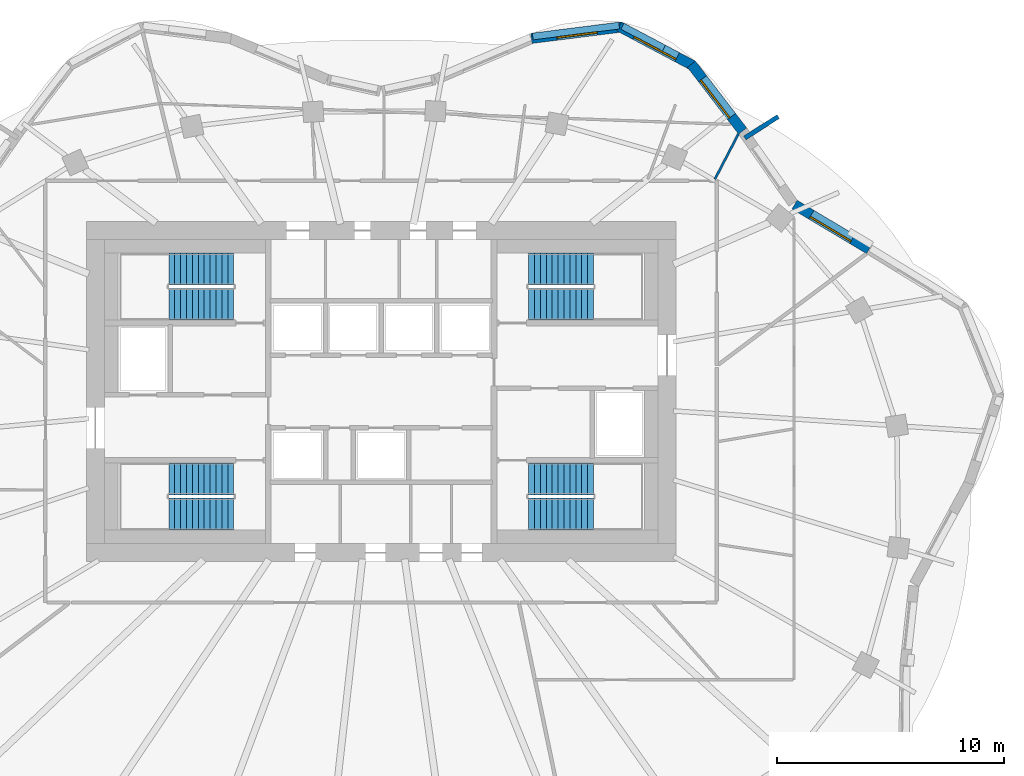
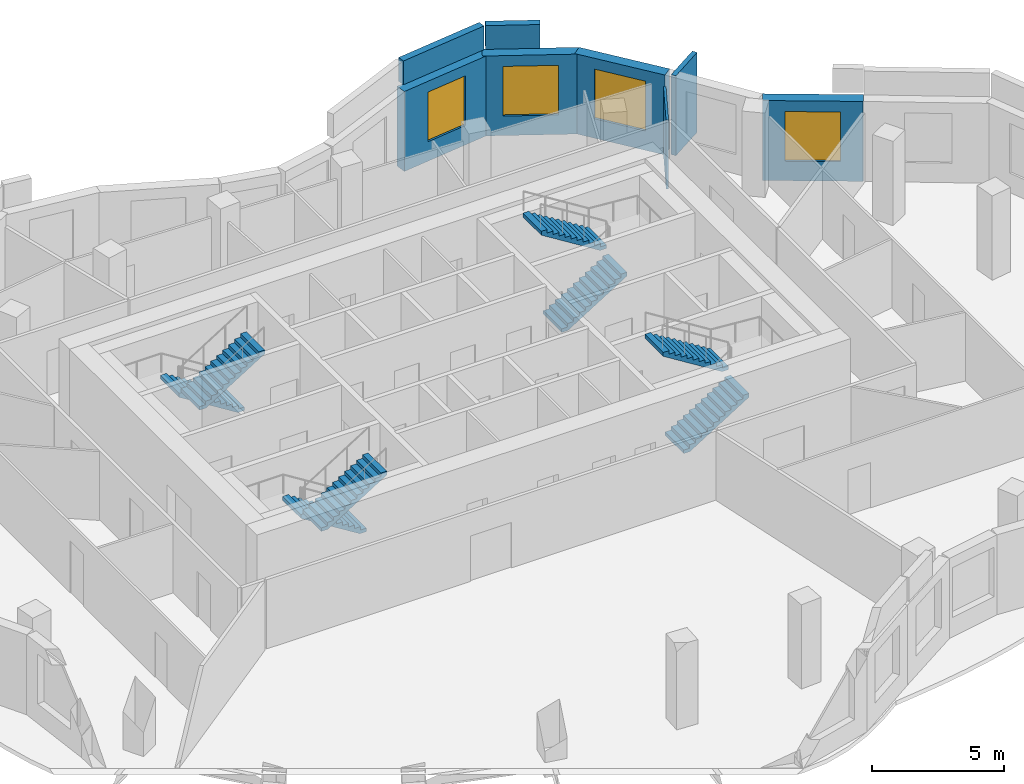
# One storey, part 8 of 9: 8 stair flights, 8 walls, 4 windows, 4 openings, 4 elements without a shape of their own.
"""IFC4 building model written with IfcOpenShell, lengths in metres."""

import ifcopenshell
import ifcopenshell.guid

model = None  # the IFC model being written
_history = None  # IfcOwnerHistory: only IFC2X3 demands one
_inside = {}  # id of a spatial element -> (the spatial element, [elements in it])
_under = {}  # id of a project, library or spatial element -> (it, [spatial elements below it])
_declared = {}  # id of a project -> (the project, [libraries it declares])
_typed = {}  # id of a type object -> (the type object, [elements of that type])
_made_of = {}  # id of a material, layer set ... -> (it, [elements and type objects made of it])


def new_model(schema):
    """Start an empty IFC model of exactly this schema.

    Asked for "IFC4X3", IfcOpenShell would pick the latest addendum, in which some entities
    have other attributes; the version numbers below select the first issue.
    IFC2X3 requires an IfcOwnerHistory on every rooted entity: one is made here for all.
    """
    global model, _history
    if schema == "IFC4X3":
        model = ifcopenshell.file(schema_version=(4, 3, 0, 0))
    else:
        model = ifcopenshell.file(schema=schema)
    _inside.clear()
    _under.clear()
    _declared.clear()
    _typed.clear()
    _made_of.clear()
    _history = None
    if model.schema == "IFC2X3":
        org = make("IfcOrganization", Name="unknown")
        user = make(
            "IfcPersonAndOrganization",
            ThePerson=make("IfcPerson", FamilyName="unknown"),
            TheOrganization=org,
        )
        app = make(
            "IfcApplication",
            ApplicationDeveloper=org,
            Version="unknown",
            ApplicationFullName="unknown",
            ApplicationIdentifier="unknown",
        )
        _history = make(
            "IfcOwnerHistory",
            OwningUser=user,
            OwningApplication=app,
            ChangeAction="ADDED",
            CreationDate=0,
        )
    return model


def make(cls, **values):
    """One entity of the class cls with the attributes given. An attribute that is None is left unset."""
    return model.create_entity(
        cls, **{name: value for name, value in values.items() if value is not None}
    )


def rooted(cls, **values):
    """An entity with a GlobalId (a new one), such as an element, a storey or a relation."""
    return make(cls, GlobalId=ifcopenshell.guid.new(), OwnerHistory=_history, **values)


def si_unit(unit_type, name, prefix=None):
    """IfcSIUnit, for example si_unit("LENGTHUNIT", "METRE", prefix="MILLI")."""
    return make("IfcSIUnit", UnitType=unit_type, Prefix=prefix, Name=name)


def assignment(units):
    """IfcUnitAssignment: the units of a project."""
    return None if units is None else make("IfcUnitAssignment", Units=units)


def point(xyz):
    """IfcCartesianPoint."""
    return None if xyz is None else make("IfcCartesianPoint", Coordinates=xyz)


def direction(xyz):
    """IfcDirection."""
    return None if xyz is None else make("IfcDirection", DirectionRatios=xyz)


def frame(location, z_axis=None, x_axis=None):
    """IfcAxis2Placement3D, a coordinate frame: its origin and axes. An axis left out is left unset."""
    return make(
        "IfcAxis2Placement3D",
        Location=point(location),
        Axis=direction(z_axis),
        RefDirection=direction(x_axis),
    )


def frame_2d(location, x_axis=None):
    """IfcAxis2Placement2D, a coordinate frame in the plane: its origin and x axis."""
    return make(
        "IfcAxis2Placement2D", Location=point(location), RefDirection=direction(x_axis)
    )


def origin():
    """The frame at (0, 0, 0) with its axes left unset."""
    return frame((0.0, 0.0, 0.0))


def place(relative_to, where):
    """IfcLocalPlacement: puts the frame where relative to a parent placement (None: the world)."""
    return make(
        "IfcLocalPlacement", PlacementRelTo=relative_to, RelativePlacement=where
    )


def context(
    kind, dimensions, precision=None, world=None, true_north=None, identifier=None
):
    """IfcGeometricRepresentationContext, for example the 3D "Model" context."""
    return make(
        "IfcGeometricRepresentationContext",
        ContextIdentifier=identifier,
        ContextType=kind,
        CoordinateSpaceDimension=dimensions,
        Precision=precision,
        WorldCoordinateSystem=world,
        TrueNorth=true_north,
    )


def subcontext(parent, identifier, kind, view, scale=None):
    """IfcGeometricRepresentationSubContext, for example "Body" below "Model"."""
    return make(
        "IfcGeometricRepresentationSubContext",
        ContextIdentifier=identifier,
        ContextType=kind,
        ParentContext=parent,
        TargetScale=scale,
        TargetView=view,
    )


def project(units=None, contexts=None):
    """IfcProject with its units and contexts."""
    return rooted(
        "IfcProject",
        Name="project",
        RepresentationContexts=contexts,
        UnitsInContext=assignment(units),
    )


def spatial(cls, under=None, at=None, **own):
    """A site, building, storey or space (cls), placed at a placement, below another one or the project."""
    s = rooted(cls, ObjectPlacement=at, **own)
    if under is not None:
        _under.setdefault(under.id(), (under, []))[1].append(s)
    return s


def polyline(points):
    """IfcPolyline through the points."""
    return make("IfcPolyline", Points=[point(p) for p in points])


def profile(cls, at=None, kind="AREA", **sizes):
    """A parametric profile (cls). Its sizes go by their IFC names, for example OverallWidth=200.0."""
    return make(cls, ProfileType=kind, Position=at, **sizes)


def rectangle(**sizes):
    """IfcRectangleProfileDef."""
    return profile("IfcRectangleProfileDef", **sizes)


def outline(outer, holes=None, kind="AREA"):
    """IfcArbitraryClosedProfileDef: a profile drawn as a closed curve; with holes, ...WithVoids."""
    if holes is None:
        return make("IfcArbitraryClosedProfileDef", ProfileType=kind, OuterCurve=outer)
    return make(
        "IfcArbitraryProfileDefWithVoids",
        ProfileType=kind,
        OuterCurve=outer,
        InnerCurves=holes,
    )


def extrude(swept, where, along, depth):
    """IfcExtrudedAreaSolid: the profile swept, set in the frame where, extruded along a direction by depth."""
    return make(
        "IfcExtrudedAreaSolid",
        SweptArea=swept,
        Position=where,
        ExtrudedDirection=direction(along),
        Depth=depth,
    )


def shape(context_of_items, identifier, shape_type, items):
    """IfcShapeRepresentation: the items that make up one representation, for example the "Body"."""
    return make(
        "IfcShapeRepresentation",
        ContextOfItems=context_of_items,
        RepresentationIdentifier=identifier,
        RepresentationType=shape_type,
        Items=items,
    )


def material(Name=None, Category=None):
    """IfcMaterial."""
    return make("IfcMaterial", Name=Name, Category=Category)


def layer(
    of_material, thickness, ventilated=None, Name=None, Category=None, Priority=None
):
    """IfcMaterialLayer: one layer of a wall or slab, of a material (None: an air gap)."""
    return make(
        "IfcMaterialLayer",
        Material=of_material,
        LayerThickness=thickness,
        IsVentilated=ventilated,
        Name=Name,
        Category=Category,
        Priority=Priority,
    )


def layer_set(layers, Name=None):
    """IfcMaterialLayerSet."""
    return make("IfcMaterialLayerSet", MaterialLayers=layers, LayerSetName=Name)


def made_of(thing, what):
    """Note that an element or type object is made of a material, layer set ...; save() writes the relation."""
    if what is not None:
        _made_of.setdefault(what.id(), (what, []))[1].append(thing)
    return thing


def type_object(cls, material=None, **own):
    """A type object (cls), such as IfcWallType, which elements share."""
    return made_of(rooted(cls, **own), material)


def element(
    cls,
    number,
    at=None,
    inside=None,
    cuts=None,
    type_object=None,
    material=None,
    context=None,
    identifier="Body",
    shape_type=None,
    held_by="IfcProductDefinitionShape",
    body=None,
    shapes=None,
    **own,
):
    """One element of the class cls, such as IfcWall. Its Tag is "e" and its number.

    at: its placement. inside: the storey or other place that contains it. cuts: it is an
    opening in that element (IfcRelVoidsElement). A single representation is given by context,
    identifier, shape_type and body (its items); several are given by shapes. held_by: the class
    of the entity that holds the representations. save() writes the other relations.
    """
    e = rooted(cls, Tag="e%d" % number, ObjectPlacement=at, **own)
    if body is not None:
        shapes = [shape(context, identifier, shape_type, body)]
    if shapes is not None:
        e.Representation = make(held_by, Representations=shapes)
    if inside is not None:
        _inside.setdefault(inside.id(), (inside, []))[1].append(e)
    if cuts is not None:
        rooted(
            "IfcRelVoidsElement", RelatingBuildingElement=cuts, RelatedOpeningElement=e
        )
    if type_object is not None:
        _typed.setdefault(type_object.id(), (type_object, []))[1].append(e)
    return made_of(e, material)


def fill(opening, filler):
    """IfcRelFillsElement: the door or window that sits in an opening."""
    return rooted(
        "IfcRelFillsElement",
        RelatingOpeningElement=opening,
        RelatedBuildingElement=filler,
    )


def aggregate(whole, parts):
    """IfcRelAggregates: a whole, such as a stair, and the parts it consists of."""
    return rooted("IfcRelAggregates", RelatingObject=whole, RelatedObjects=parts)


def save(model, path):
    """Write the relations noted so far, then the file.

    IfcRelAggregates (storeys below a building ...), IfcRelContainedInSpatialStructure (elements
    in a storey), IfcRelDefinesByType, IfcRelAssociatesMaterial and IfcRelDeclares: one each for
    every whole, place, type object, material and project.
    """
    for whole, parts in _under.values():
        aggregate(whole, parts)
    for where, things in _inside.values():
        rooted(
            "IfcRelContainedInSpatialStructure",
            RelatedElements=things,
            RelatingStructure=where,
        )
    for kind, things in _typed.values():
        rooted("IfcRelDefinesByType", RelatedObjects=things, RelatingType=kind)
    for what, things in _made_of.values():
        rooted("IfcRelAssociatesMaterial", RelatedObjects=things, RelatingMaterial=what)
    for by, libraries in _declared.values():
        rooted("IfcRelDeclares", RelatingContext=by, RelatedDefinitions=libraries)
    model.write(path)


model = new_model("IFC4")

# Units and contexts
model_context = context("Model", 3, precision=1e-05, world=origin(), true_north=direction((0.0, 1.0)))
body_context = subcontext(model_context, "Body", "Model", "MODEL_VIEW")
ifc_project = project(units=[si_unit("LENGTHUNIT", "METRE"), si_unit("AREAUNIT", "SQUARE_METRE"), si_unit("VOLUMEUNIT", "CUBIC_METRE"), si_unit("PLANEANGLEUNIT", "RADIAN"), si_unit("MASSUNIT", "GRAM", prefix="KILO")], contexts=[model_context])

# Site, building, storey
site_placement = place(None, origin())
site = spatial("IfcSite", under=ifc_project, at=site_placement, CompositionType="ELEMENT")
building_placement = place(site_placement, origin())
building = spatial("IfcBuilding", under=site, at=building_placement, Name="Rubra Terraces Tower", CompositionType="ELEMENT")
storey_placement = place(building_placement, frame((0.0, 0.0, 268.800048828125)))
storey = spatial("IfcBuildingStorey", under=building, at=storey_placement, Name="L66", CompositionType="ELEMENT", Elevation=268.800048828125)

# Wall, opening, window
ifc_material_1 = material(Name="Brick masonry red-brown", Category="masonry")
ifc_layer_1 = layer(ifc_material_1, 0.449951171875)
ifc_layer_set_1 = layer_set([ifc_layer_1], Name="Brick masonry red-brown")
wall_type_1 = type_object("IfcWallType", Name="Brick facade wall 450", PredefinedType="SOLIDWALL", material=ifc_layer_set_1)
wall_1_placement = place(storey_placement, frame((21.510498046875, 10.7744140625, 0.0), z_axis=(0.0, 0.0, 1.0), x_axis=(-0.857920147813, 0.513783047576, 0.0)))
wall_1 = element("IfcWall", 1, at=wall_1_placement, inside=storey, type_object=wall_type_1, Name="Facade wall L66 bay 4", PredefinedType="SOLIDWALL", context=body_context, shape_type="SweptSolid", body=[
    extrude(rectangle(XDim=3.82958984375, YDim=0.449951171875, at=frame_2d((1.914794921875, 0.0))), origin(), (0.0, 0.0, 1.0), 3.699951171875),
])
opening_1_placement = place(wall_1_placement, frame((0.86474609375, 0.0, 0.89990234375)))
opening_1 = element("IfcOpeningElement", 2, at=opening_1_placement, cuts=wall_1, Name="Opening W1B", PredefinedType="OPENING", context=body_context, shape_type="SweptSolid", body=[
    extrude(rectangle(XDim=2.10009765625, YDim=2.300048828125, at=frame_2d((1.050048828125, 1.14990234375))), frame((0.0, 0.23486328125, 0.0), z_axis=(0.0, -1.0, 0.0), x_axis=(1.0, 0.0, 0.0)), (0.0, 0.0, 1.0), 0.469970703125),
])
ifc_material_2 = material(Name="Clear glass in aluminium frame", Category="aluminium")
window_type_1 = type_object("IfcWindowType", Name="Fixed deep-set window tall storey 2100 x 2300", PartitioningType="SINGLE_PANEL", PredefinedType="WINDOW", material=ifc_material_2)
window_1_placement = place(opening_1_placement, origin())
window_1 = element("IfcWindow", 3, at=window_1_placement, inside=storey, type_object=window_type_1, Name="Window L66 bay 4", OverallHeight=2.300048828125, OverallWidth=2.10009765625, PartitioningType="SINGLE_PANEL", PredefinedType="WINDOW", context=body_context, shape_type="SweptSolid", body=[
    extrude(rectangle(XDim=2.10009765625, YDim=2.300048828125, at=frame_2d((1.050048828125, 1.14990234375))), frame((0.0, 0.135009765625, 0.0), z_axis=(0.0, -1.0, 0.0), x_axis=(1.0, 0.0, 0.0)), (0.0, 0.0, 1.0), 0.06005859375),
])
fill(opening_1, window_1)

wall_2_placement = place(storey_placement, frame((15.937255859375, 15.985107421875, 0.0), z_axis=(0.0, 0.0, 1.0), x_axis=(-0.60824792446, 0.793747102288, 0.0)))
wall_2 = element("IfcWall", 4, at=wall_2_placement, inside=storey, type_object=wall_type_1, Name="Facade wall L66 bay 6", PredefinedType="SOLIDWALL", context=body_context, shape_type="SweptSolid", body=[
    extrude(rectangle(XDim=3.712890625, YDim=0.449951171875, at=frame_2d((1.8564453125, 0.0))), origin(), (0.0, 0.0, 1.0), 3.699951171875),
])
opening_2_placement = place(wall_2_placement, frame((0.806396484375, 0.0, 0.89990234375)))
opening_2 = element("IfcOpeningElement", 5, at=opening_2_placement, cuts=wall_2, Name="Opening W1B", PredefinedType="OPENING", context=body_context, shape_type="SweptSolid", body=[
    extrude(rectangle(XDim=2.10009765625, YDim=2.300048828125, at=frame_2d((1.050048828125, 1.14990234375))), frame((0.0, 0.23486328125, 0.0), z_axis=(0.0, -1.0, 0.0), x_axis=(1.0, 0.0, 0.0)), (0.0, 0.0, 1.0), 0.469970703125),
])
window_2_placement = place(opening_2_placement, origin())
window_2 = element("IfcWindow", 6, at=window_2_placement, inside=storey, type_object=window_type_1, Name="Window L66 bay 6", OverallHeight=2.300048828125, OverallWidth=2.10009765625, PartitioningType="SINGLE_PANEL", PredefinedType="WINDOW", context=body_context, shape_type="SweptSolid", body=[
    extrude(rectangle(XDim=2.10009765625, YDim=2.300048828125, at=frame_2d((1.050048828125, 1.14990234375))), frame((0.0, 0.135009765625, 0.0), z_axis=(0.0, -1.0, 0.0), x_axis=(1.0, 0.0, 0.0)), (0.0, 0.0, 1.0), 0.06005859375),
])
fill(opening_2, window_2)

wall_3_placement = place(storey_placement, frame((13.75048828125, 18.872314453125, 0.0), z_axis=(0.0, 0.0, 1.0), x_axis=(-0.883502778071, 0.46842591852, 0.0)))
wall_3 = element("IfcWall", 7, at=wall_3_placement, inside=storey, type_object=wall_type_1, Name="Facade wall L66 bay 7", PredefinedType="SOLIDWALL", context=body_context, shape_type="SweptSolid", body=[
    extrude(rectangle(XDim=3.6884765625, YDim=0.449951171875, at=frame_2d((1.84423828125, 0.0))), origin(), (0.0, 0.0, 1.0), 3.699951171875),
])
opening_3_placement = place(wall_3_placement, frame((0.79443359375, 0.0, 0.89990234375)))
opening_3 = element("IfcOpeningElement", 8, at=opening_3_placement, cuts=wall_3, Name="Opening W1B", PredefinedType="OPENING", context=body_context, shape_type="SweptSolid", body=[
    extrude(rectangle(XDim=2.10009765625, YDim=2.300048828125, at=frame_2d((1.050048828125, 1.14990234375))), frame((0.0, 0.23486328125, 0.0), z_axis=(0.0, -1.0, 0.0), x_axis=(1.0, 0.0, 0.0)), (0.0, 0.0, 1.0), 0.469970703125),
])
window_3_placement = place(opening_3_placement, origin())
window_3 = element("IfcWindow", 9, at=window_3_placement, inside=storey, type_object=window_type_1, Name="Window L66 bay 7", OverallHeight=2.300048828125, OverallWidth=2.10009765625, PartitioningType="SINGLE_PANEL", PredefinedType="WINDOW", context=body_context, shape_type="SweptSolid", body=[
    extrude(rectangle(XDim=2.10009765625, YDim=2.300048828125, at=frame_2d((1.050048828125, 1.14990234375))), frame((0.0, 0.135009765625, 0.0), z_axis=(0.0, -1.0, 0.0), x_axis=(1.0, 0.0, 0.0)), (0.0, 0.0, 1.0), 0.06005859375),
])
fill(opening_3, window_3)

wall_4_placement = place(storey_placement, frame((10.625244140625, 20.57568359375, 0.0), z_axis=(0.0, 0.0, 1.0), x_axis=(-0.992109407201, -0.125375133674, 0.0)))
wall_4 = element("IfcWall", 10, at=wall_4_placement, inside=storey, type_object=wall_type_1, Name="Facade wall L66 bay 8", PredefinedType="SOLIDWALL", context=body_context, shape_type="SweptSolid", body=[
    extrude(rectangle(XDim=4.03466796875, YDim=0.449951171875, at=frame_2d((2.017333984375, 0.0))), origin(), (0.0, 0.0, 1.0), 3.699951171875),
])
opening_4_placement = place(wall_4_placement, frame((1.117431640625, 0.0, 0.89990234375)))
opening_4 = element("IfcOpeningElement", 11, at=opening_4_placement, cuts=wall_4, Name="Opening W6B", PredefinedType="OPENING", context=body_context, shape_type="SweptSolid", body=[
    extrude(rectangle(XDim=1.800048828125, YDim=2.300048828125, at=frame_2d((0.89990234375, 1.14990234375))), frame((0.0, 0.23486328125, 0.0), z_axis=(0.0, -1.0, 0.0), x_axis=(1.0, 0.0, 0.0)), (0.0, 0.0, 1.0), 0.469970703125),
])
window_type_2 = type_object("IfcWindowType", Name="Fixed deep-set window at wind fin tall storey 1800 x 2300", PartitioningType="SINGLE_PANEL", PredefinedType="WINDOW", material=ifc_material_2)
window_4_placement = place(opening_4_placement, origin())
window_4 = element("IfcWindow", 12, at=window_4_placement, inside=storey, type_object=window_type_2, Name="Window L66 bay 8", OverallHeight=2.300048828125, OverallWidth=1.800048828125, PartitioningType="SINGLE_PANEL", PredefinedType="WINDOW", context=body_context, shape_type="SweptSolid", body=[
    extrude(rectangle(XDim=1.800048828125, YDim=2.300048828125, at=frame_2d((0.89990234375, 1.14990234375))), frame((0.0, 0.135009765625, 0.0), z_axis=(0.0, -1.0, 0.0), x_axis=(1.0, 0.0, 0.0)), (0.0, 0.0, 1.0), 0.06005859375),
])
fill(opening_4, window_4)

# Walls
ifc_layer_2 = layer(ifc_material_1, 0.300048828125)
ifc_layer_set_2 = layer_set([ifc_layer_2], Name="Brick masonry red-brown")
wall_type_2 = type_object("IfcWallType", Name="Brick parapet 300", PredefinedType="PARAPET", material=ifc_layer_set_2)
wall_5_placement = place(storey_placement, frame((12.4658203125, 19.63818359375, 3.89990234375), z_axis=(0.0, 0.0, 1.0), x_axis=(-0.883460622644, 0.468505419645, 0.0)))
element("IfcWall", 13, at=wall_5_placement, inside=storey, type_object=wall_type_2, Name="Parapet L66 bay 7", PredefinedType="PARAPET", context=body_context, shape_type="SweptSolid", body=[
    extrude(rectangle(XDim=2.06982421875, YDim=0.300048828125, at=frame_2d((1.034912109375, 0.0))), origin(), (0.0, 0.0, 1.0), 1.10009765625),
])
wall_6_placement = place(storey_placement, frame((10.49169921875, 20.634521484375, 3.89990234375), z_axis=(0.0, 0.0, 1.0), x_axis=(-0.992108633106, -0.125381259031, 0.0)))
element("IfcWall", 14, at=wall_6_placement, inside=storey, type_object=wall_type_2, Name="Parapet L66 bay 8", PredefinedType="PARAPET", context=body_context, shape_type="SweptSolid", body=[
    extrude(rectangle(XDim=3.837890625, YDim=0.300048828125, at=frame_2d((1.9189453125, 0.0))), origin(), (0.0, 0.0, 1.0), 1.10009765625),
])
ifc_layer_3 = layer(ifc_material_1, 0.199951171875)
ifc_layer_set_3 = layer_set([ifc_layer_3], Name="Brick masonry red-brown")
wall_type_3 = type_object("IfcWallType", Name="Brick wind fin 200", PredefinedType="SOLIDWALL", material=ifc_layer_set_3)
wall_7_placement = place(storey_placement, frame((16.032958984375, 15.679931640625, 0.0), z_axis=(0.0, 0.0, 1.0), x_axis=(0.842083858075, 0.539346619503, 0.0)))
element("IfcWall", 15, at=wall_7_placement, inside=storey, type_object=wall_type_3, Name="Wind fin L66 3", PredefinedType="SOLIDWALL", context=body_context, shape_type="SweptSolid", body=[
    extrude(rectangle(XDim=1.75, YDim=0.199951171875, at=frame_2d((0.875, 0.0))), origin(), (0.0, 0.0, 1.0), 3.699951171875),
])
ifc_material_3 = material(Name="Plasterboard on steel stud", Category="steel")
ifc_layer_4 = layer(ifc_material_3, 0.10009765625)
ifc_layer_set_4 = layer_set([ifc_layer_4], Name="Plasterboard on steel stud")
wall_type_4 = type_object("IfcWallType", Name="ROOM PARTITION 100", PredefinedType="PARTITIONING", material=ifc_layer_set_4)
wall_8_placement = place(storey_placement, frame((14.714599609375, 13.866455078125, 0.0), z_axis=(0.0, 0.0, 1.0), x_axis=(0.461537979376, 0.887120450443, 0.0)))
element("IfcWall", 16, at=wall_8_placement, inside=storey, type_object=wall_type_4, Name="PARTITION", PredefinedType="PARTITIONING", context=body_context, shape_type="SweptSolid", body=[
    extrude(rectangle(XDim=2.24072265625, YDim=0.10009765625, at=frame_2d((1.120361328125, 0.0))), origin(), (0.0, 0.0, 1.0), 3.183837890625),
])

# Stair, stair flights
ifc_material_4 = material(Name="Concrete C40", Category="concrete")
stair_type = type_object("IfcStairType", Name="Core stair 1400", PredefinedType="HALF_TURN_STAIR", material=ifc_material_4)
stair_1_placement = place(storey_placement, origin())
stair_1 = element("IfcStair", 17, at=stair_1_placement, inside=storey, type_object=stair_type, Name="L66 Exit stair S1", PredefinedType="HALF_TURN_STAIR")
stair_flight_type = type_object("IfcStairFlightType", Name="Core stair flight 1400", PredefinedType="STRAIGHT", material=ifc_material_4)
stair_flight_1_placement = place(storey_placement, frame((-6.5, 0.64990234375, 0.0), z_axis=(0.0, 0.0, 1.0), x_axis=(-1.0, 0.0, 0.0)))
stair_flight_1 = element("IfcStairFlight", 18, at=stair_flight_1_placement, type_object=stair_flight_type, Name="S1 flight 1", NumberOfRisers=12, NumberOfTreads=11, PredefinedType="STRAIGHT", RiserHeight=0.1625, TreadLength=0.26, context=body_context, shape_type="SweptSolid", body=[
    extrude(outline(polyline([(0.0, 0.0), (0.0, 0.16259765625), (0.260009765625, 0.16259765625), (0.260009765625, 0.324951171875), (0.52001953125, 0.324951171875), (0.52001953125, 0.487548828125), (0.780029296875, 0.487548828125), (0.780029296875, 0.64990234375), (1.0400390625, 0.64990234375), (1.0400390625, 0.8125), (1.300048828125, 0.8125), (1.300048828125, 0.97509765625), (1.56005859375, 0.97509765625), (1.56005859375, 1.137451171875), (1.820068359375, 1.137451171875), (1.820068359375, 1.300048828125), (2.080078125, 1.300048828125), (2.080078125, 1.46240234375), (2.340087890625, 1.46240234375), (2.340087890625, 1.625), (2.60009765625, 1.625), (2.60009765625, 1.78759765625), (2.860107421875, 1.78759765625), (2.860107421875, 1.949951171875), (2.860107421875, 1.61083984375), (0.28271484375, 0.0), (0.0, 0.0)])), frame((0.0, 0.699951171875, 0.0), z_axis=(0.0, -1.0, 0.0), x_axis=(1.0, 0.0, 0.0)), (0.0, 0.0, 1.0), 1.39990234375),
])
stair_flight_2_placement = place(storey_placement, frame((-9.360107421875, -0.89990234375, 1.949951171875), z_axis=(0.0, 0.0, 1.0), x_axis=(1.0, 0.0, 0.0)))
stair_flight_2 = element("IfcStairFlight", 19, at=stair_flight_2_placement, type_object=stair_flight_type, Name="S1 flight 2", NumberOfRisers=12, NumberOfTreads=11, PredefinedType="STRAIGHT", RiserHeight=0.1625, TreadLength=0.26, context=body_context, shape_type="SweptSolid", body=[
    extrude(outline(polyline([(0.0, 0.0), (0.0, 0.16259765625), (0.260009765625, 0.16259765625), (0.260009765625, 0.324951171875), (0.52001953125, 0.324951171875), (0.52001953125, 0.487548828125), (0.780029296875, 0.487548828125), (0.780029296875, 0.64990234375), (1.0400390625, 0.64990234375), (1.0400390625, 0.8125), (1.300048828125, 0.8125), (1.300048828125, 0.97509765625), (1.56005859375, 0.97509765625), (1.56005859375, 1.137451171875), (1.820068359375, 1.137451171875), (1.820068359375, 1.300048828125), (2.080078125, 1.300048828125), (2.080078125, 1.46240234375), (2.340087890625, 1.46240234375), (2.340087890625, 1.625), (2.60009765625, 1.625), (2.60009765625, 1.78759765625), (2.860107421875, 1.78759765625), (2.860107421875, 1.949951171875), (2.860107421875, 1.61083984375), (0.28271484375, 0.0), (0.0, 0.0)])), frame((0.0, 0.699951171875, 0.0), z_axis=(0.0, -1.0, 0.0), x_axis=(1.0, 0.0, 0.0)), (0.0, 0.0, 1.0), 1.39990234375),
])
aggregate(stair_1, [stair_flight_1, stair_flight_2])

stair_2_placement = place(storey_placement, origin())
stair_2 = element("IfcStair", 20, at=stair_2_placement, inside=storey, type_object=stair_type, Name="L66 Exit stair S2", PredefinedType="HALF_TURN_STAIR")
stair_flight_3_placement = place(storey_placement, frame((-6.5, 9.89990234375, 0.0), z_axis=(0.0, 0.0, 1.0), x_axis=(-1.0, 0.0, 0.0)))
stair_flight_3 = element("IfcStairFlight", 21, at=stair_flight_3_placement, type_object=stair_flight_type, Name="S2 flight 1", NumberOfRisers=12, NumberOfTreads=11, PredefinedType="STRAIGHT", RiserHeight=0.1625, TreadLength=0.26, context=body_context, shape_type="SweptSolid", body=[
    extrude(outline(polyline([(0.0, 0.0), (0.0, 0.16259765625), (0.260009765625, 0.16259765625), (0.260009765625, 0.324951171875), (0.52001953125, 0.324951171875), (0.52001953125, 0.487548828125), (0.780029296875, 0.487548828125), (0.780029296875, 0.64990234375), (1.0400390625, 0.64990234375), (1.0400390625, 0.8125), (1.300048828125, 0.8125), (1.300048828125, 0.97509765625), (1.56005859375, 0.97509765625), (1.56005859375, 1.137451171875), (1.820068359375, 1.137451171875), (1.820068359375, 1.300048828125), (2.080078125, 1.300048828125), (2.080078125, 1.46240234375), (2.340087890625, 1.46240234375), (2.340087890625, 1.625), (2.60009765625, 1.625), (2.60009765625, 1.78759765625), (2.860107421875, 1.78759765625), (2.860107421875, 1.949951171875), (2.860107421875, 1.61083984375), (0.28271484375, 0.0), (0.0, 0.0)])), frame((0.0, 0.699951171875, 0.0), z_axis=(0.0, -1.0, 0.0), x_axis=(1.0, 0.0, 0.0)), (0.0, 0.0, 1.0), 1.39990234375),
])
stair_flight_4_placement = place(storey_placement, frame((-9.360107421875, 8.35009765625, 1.949951171875), z_axis=(0.0, 0.0, 1.0), x_axis=(1.0, 0.0, 0.0)))
stair_flight_4 = element("IfcStairFlight", 22, at=stair_flight_4_placement, type_object=stair_flight_type, Name="S2 flight 2", NumberOfRisers=12, NumberOfTreads=11, PredefinedType="STRAIGHT", RiserHeight=0.1625, TreadLength=0.26, context=body_context, shape_type="SweptSolid", body=[
    extrude(outline(polyline([(0.0, 0.0), (0.0, 0.16259765625), (0.260009765625, 0.16259765625), (0.260009765625, 0.324951171875), (0.52001953125, 0.324951171875), (0.52001953125, 0.487548828125), (0.780029296875, 0.487548828125), (0.780029296875, 0.64990234375), (1.0400390625, 0.64990234375), (1.0400390625, 0.8125), (1.300048828125, 0.8125), (1.300048828125, 0.97509765625), (1.56005859375, 0.97509765625), (1.56005859375, 1.137451171875), (1.820068359375, 1.137451171875), (1.820068359375, 1.300048828125), (2.080078125, 1.300048828125), (2.080078125, 1.46240234375), (2.340087890625, 1.46240234375), (2.340087890625, 1.625), (2.60009765625, 1.625), (2.60009765625, 1.78759765625), (2.860107421875, 1.78759765625), (2.860107421875, 1.949951171875), (2.860107421875, 1.61083984375), (0.28271484375, 0.0), (0.0, 0.0)])), frame((0.0, 0.699951171875, 0.0), z_axis=(0.0, -1.0, 0.0), x_axis=(1.0, 0.0, 0.0)), (0.0, 0.0, 1.0), 1.39990234375),
])
aggregate(stair_2, [stair_flight_3, stair_flight_4])

stair_3_placement = place(storey_placement, origin())
stair_3 = element("IfcStair", 23, at=stair_3_placement, inside=storey, type_object=stair_type, Name="L66 Exit stair S3", PredefinedType="HALF_TURN_STAIR")
stair_flight_5_placement = place(storey_placement, frame((6.5, 8.35009765625, 0.0), z_axis=(0.0, 0.0, 1.0), x_axis=(1.0, 0.0, 0.0)))
stair_flight_5 = element("IfcStairFlight", 24, at=stair_flight_5_placement, type_object=stair_flight_type, Name="S3 flight 1", NumberOfRisers=12, NumberOfTreads=11, PredefinedType="STRAIGHT", RiserHeight=0.1625, TreadLength=0.26, context=body_context, shape_type="SweptSolid", body=[
    extrude(outline(polyline([(0.0, 0.0), (0.0, 0.16259765625), (0.260009765625, 0.16259765625), (0.260009765625, 0.324951171875), (0.52001953125, 0.324951171875), (0.52001953125, 0.487548828125), (0.780029296875, 0.487548828125), (0.780029296875, 0.64990234375), (1.0400390625, 0.64990234375), (1.0400390625, 0.8125), (1.300048828125, 0.8125), (1.300048828125, 0.97509765625), (1.56005859375, 0.97509765625), (1.56005859375, 1.137451171875), (1.820068359375, 1.137451171875), (1.820068359375, 1.300048828125), (2.080078125, 1.300048828125), (2.080078125, 1.46240234375), (2.340087890625, 1.46240234375), (2.340087890625, 1.625), (2.60009765625, 1.625), (2.60009765625, 1.78759765625), (2.860107421875, 1.78759765625), (2.860107421875, 1.949951171875), (2.860107421875, 1.61083984375), (0.28271484375, 0.0), (0.0, 0.0)])), frame((0.0, 0.699951171875, 0.0), z_axis=(0.0, -1.0, 0.0), x_axis=(1.0, 0.0, 0.0)), (0.0, 0.0, 1.0), 1.39990234375),
])
stair_flight_6_placement = place(storey_placement, frame((9.360107421875, 9.89990234375, 1.949951171875), z_axis=(0.0, 0.0, 1.0), x_axis=(-1.0, 0.0, 0.0)))
stair_flight_6 = element("IfcStairFlight", 25, at=stair_flight_6_placement, type_object=stair_flight_type, Name="S3 flight 2", NumberOfRisers=12, NumberOfTreads=11, PredefinedType="STRAIGHT", RiserHeight=0.1625, TreadLength=0.26, context=body_context, shape_type="SweptSolid", body=[
    extrude(outline(polyline([(0.0, 0.0), (0.0, 0.16259765625), (0.260009765625, 0.16259765625), (0.260009765625, 0.324951171875), (0.52001953125, 0.324951171875), (0.52001953125, 0.487548828125), (0.780029296875, 0.487548828125), (0.780029296875, 0.64990234375), (1.0400390625, 0.64990234375), (1.0400390625, 0.8125), (1.300048828125, 0.8125), (1.300048828125, 0.97509765625), (1.56005859375, 0.97509765625), (1.56005859375, 1.137451171875), (1.820068359375, 1.137451171875), (1.820068359375, 1.300048828125), (2.080078125, 1.300048828125), (2.080078125, 1.46240234375), (2.340087890625, 1.46240234375), (2.340087890625, 1.625), (2.60009765625, 1.625), (2.60009765625, 1.78759765625), (2.860107421875, 1.78759765625), (2.860107421875, 1.949951171875), (2.860107421875, 1.61083984375), (0.28271484375, 0.0), (0.0, 0.0)])), frame((0.0, 0.699951171875, 0.0), z_axis=(0.0, -1.0, 0.0), x_axis=(1.0, 0.0, 0.0)), (0.0, 0.0, 1.0), 1.39990234375),
])
aggregate(stair_3, [stair_flight_5, stair_flight_6])

stair_4_placement = place(storey_placement, origin())
stair_4 = element("IfcStair", 26, at=stair_4_placement, inside=storey, type_object=stair_type, Name="L66 Exit stair S4", PredefinedType="HALF_TURN_STAIR")
stair_flight_7_placement = place(storey_placement, frame((6.5, -0.89990234375, 0.0), z_axis=(0.0, 0.0, 1.0), x_axis=(1.0, 0.0, 0.0)))
stair_flight_7 = element("IfcStairFlight", 27, at=stair_flight_7_placement, type_object=stair_flight_type, Name="S4 flight 1", NumberOfRisers=12, NumberOfTreads=11, PredefinedType="STRAIGHT", RiserHeight=0.1625, TreadLength=0.26, context=body_context, shape_type="SweptSolid", body=[
    extrude(outline(polyline([(0.0, 0.0), (0.0, 0.16259765625), (0.260009765625, 0.16259765625), (0.260009765625, 0.324951171875), (0.52001953125, 0.324951171875), (0.52001953125, 0.487548828125), (0.780029296875, 0.487548828125), (0.780029296875, 0.64990234375), (1.0400390625, 0.64990234375), (1.0400390625, 0.8125), (1.300048828125, 0.8125), (1.300048828125, 0.97509765625), (1.56005859375, 0.97509765625), (1.56005859375, 1.137451171875), (1.820068359375, 1.137451171875), (1.820068359375, 1.300048828125), (2.080078125, 1.300048828125), (2.080078125, 1.46240234375), (2.340087890625, 1.46240234375), (2.340087890625, 1.625), (2.60009765625, 1.625), (2.60009765625, 1.78759765625), (2.860107421875, 1.78759765625), (2.860107421875, 1.949951171875), (2.860107421875, 1.61083984375), (0.28271484375, 0.0), (0.0, 0.0)])), frame((0.0, 0.699951171875, 0.0), z_axis=(0.0, -1.0, 0.0), x_axis=(1.0, 0.0, 0.0)), (0.0, 0.0, 1.0), 1.39990234375),
])
stair_flight_8_placement = place(storey_placement, frame((9.360107421875, 0.64990234375, 1.949951171875), z_axis=(0.0, 0.0, 1.0), x_axis=(-1.0, 0.0, 0.0)))
stair_flight_8 = element("IfcStairFlight", 28, at=stair_flight_8_placement, type_object=stair_flight_type, Name="S4 flight 2", NumberOfRisers=12, NumberOfTreads=11, PredefinedType="STRAIGHT", RiserHeight=0.1625, TreadLength=0.26, context=body_context, shape_type="SweptSolid", body=[
    extrude(outline(polyline([(0.0, 0.0), (0.0, 0.16259765625), (0.260009765625, 0.16259765625), (0.260009765625, 0.324951171875), (0.52001953125, 0.324951171875), (0.52001953125, 0.487548828125), (0.780029296875, 0.487548828125), (0.780029296875, 0.64990234375), (1.0400390625, 0.64990234375), (1.0400390625, 0.8125), (1.300048828125, 0.8125), (1.300048828125, 0.97509765625), (1.56005859375, 0.97509765625), (1.56005859375, 1.137451171875), (1.820068359375, 1.137451171875), (1.820068359375, 1.300048828125), (2.080078125, 1.300048828125), (2.080078125, 1.46240234375), (2.340087890625, 1.46240234375), (2.340087890625, 1.625), (2.60009765625, 1.625), (2.60009765625, 1.78759765625), (2.860107421875, 1.78759765625), (2.860107421875, 1.949951171875), (2.860107421875, 1.61083984375), (0.28271484375, 0.0), (0.0, 0.0)])), frame((0.0, 0.699951171875, 0.0), z_axis=(0.0, -1.0, 0.0), x_axis=(1.0, 0.0, 0.0)), (0.0, 0.0, 1.0), 1.39990234375),
])
aggregate(stair_4, [stair_flight_7, stair_flight_8])

save(model, "model.ifc")
